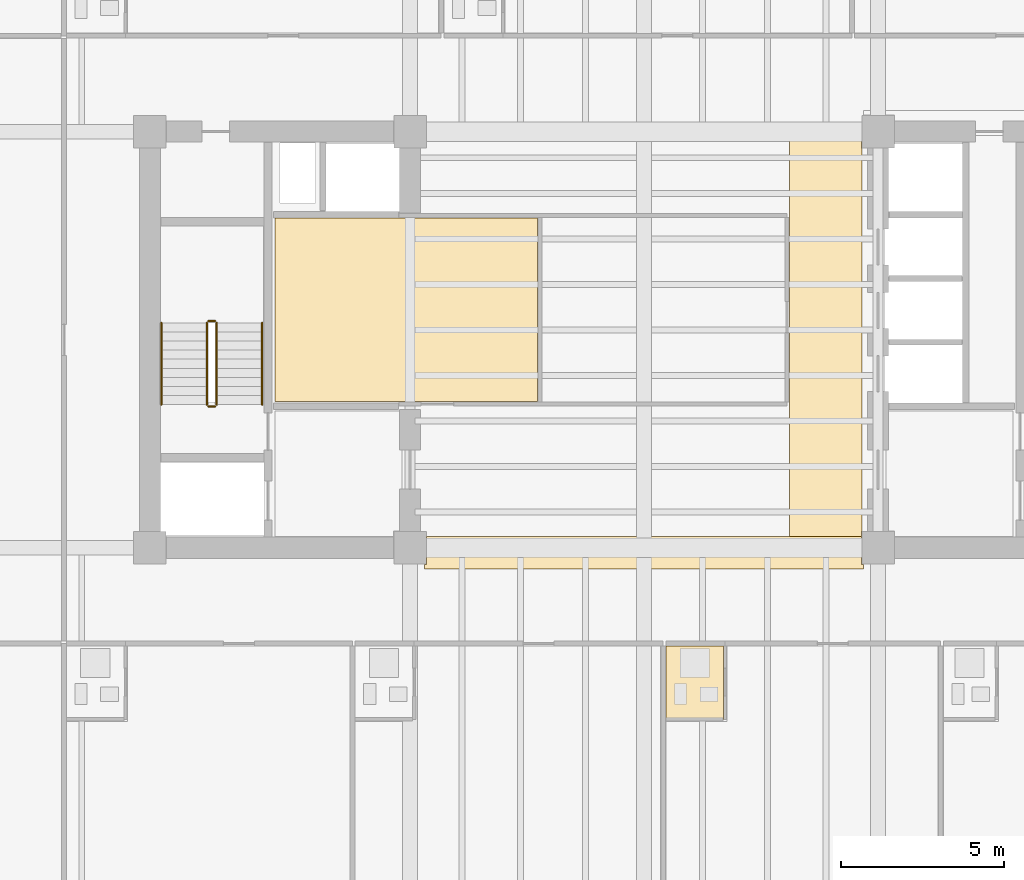
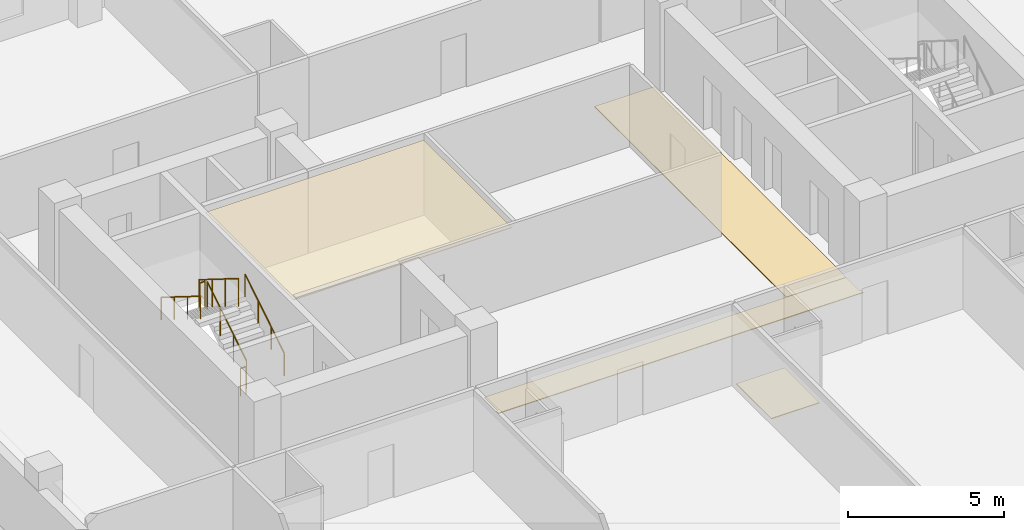
# One storey, part 7 of 10: 6 railings, 4 coverings.
"""IFC4 building model written with IfcOpenShell, lengths in metres."""

from ifc_helpers import new_model, si_unit, direction, frame, origin, origin_2d, place, context, subcontext, project, spatial, polyline, circle, outline, extrude, material, layer, layer_set, type_object, element, save


model = new_model("IFC4")

# Units and contexts
model_context = context("Model", 3, precision=1e-05, world=origin(), true_north=direction((0.0, 1.0)))
body_context = subcontext(model_context, "Body", "Model", "MODEL_VIEW")
ifc_project = project(units=[si_unit("LENGTHUNIT", "METRE"), si_unit("AREAUNIT", "SQUARE_METRE"), si_unit("VOLUMEUNIT", "CUBIC_METRE"), si_unit("PLANEANGLEUNIT", "RADIAN"), si_unit("MASSUNIT", "GRAM", prefix="KILO")], contexts=[model_context])

# Site, building, storey
site_placement = place(None, origin())
site = spatial("IfcSite", under=ifc_project, at=site_placement, CompositionType="ELEMENT")
building_placement = place(site_placement, origin())
building = spatial("IfcBuilding", under=site, at=building_placement, Name="Kranthara Brick Stack", CompositionType="ELEMENT")
storey_placement = place(building_placement, frame((0.0, 0.0, 127.300048828125)))
storey = spatial("IfcBuildingStorey", under=building, at=storey_placement, Name="L31", CompositionType="ELEMENT", Elevation=127.300048828125)

# Coverings
ifc_material_1 = material(Name="Perforated mineral-fibre acoustic ceiling tile", Category="other")
ifc_layer_1 = layer(ifc_material_1, 0.02490234375)
ifc_layer_set_1 = layer_set([ifc_layer_1], Name="Perforated mineral-fibre acoustic ceiling tile")
covering_type_1 = type_object("IfcCoveringType", Name="COV-CEIL-ACOUSTIC", PredefinedType="CEILING", material=ifc_layer_set_1)
covering_1_placement = place(storey_placement, frame((0.0, 0.0, 2.929931640625)))
element("IfcCovering", 1, at=covering_1_placement, inside=storey, type_object=covering_type_1, Name="L31 L31 Hotel Club Reading Lounge Acoustic Ceiling", PredefinedType="CEILING", context=body_context, shape_type="SweptSolid", body=[
    extrude(outline(polyline([(24.719970703125, 25.300048828125), (24.719970703125, 30.93994140625), (16.64990234375, 30.93994140625), (16.64990234375, 25.300048828125), (24.719970703125, 25.300048828125)])), origin(), (0.0, 0.0, 1.0), 0.02490234375),
])
ifc_material_2 = material(Name="Honed terrazzo and porcelain floor finish", Category="stone")
ifc_layer_2 = layer(ifc_material_2, 0.030029296875)
ifc_layer_set_2 = layer_set([ifc_layer_2], Name="Honed terrazzo and porcelain floor finish")
covering_type_2 = type_object("IfcCoveringType", Name="COV-FLOR-STONE", PredefinedType="FLOORING", material=ifc_layer_set_2)
covering_2_placement = place(storey_placement, origin())
element("IfcCovering", 2, at=covering_2_placement, inside=storey, type_object=covering_type_2, Name="L31 Lift Lobby Stone Flooring", PredefinedType="FLOORING", context=body_context, shape_type="SweptSolid", body=[
    extrude(outline(polyline([(32.47998046875, 33.449951171875), (34.68994140625, 33.449951171875), (34.68994140625, 33.090087890625), (34.699951171875, 33.090087890625), (34.699951171875, 21.31005859375), (34.68994140625, 21.31005859375), (34.68994140625, 21.14990234375), (32.47998046875, 21.14990234375), (32.47998046875, 33.449951171875)])), origin(), (0.0, 0.0, 1.0), 0.030029296875),
])
covering_3_placement = place(storey_placement, origin())
element("IfcCovering", 3, at=covering_3_placement, inside=storey, type_object=covering_type_2, Name="L31 Lift Lobby Stone Flooring", PredefinedType="FLOORING", context=body_context, shape_type="SweptSolid", body=[
    extrude(outline(polyline([(21.25, 20.2900390625), (21.31005859375, 20.2900390625), (21.31005859375, 21.14990234375), (32.47998046875, 21.14990234375), (34.68994140625, 21.14990234375), (34.68994140625, 20.2900390625), (34.75, 20.2900390625), (34.75, 20.14990234375), (21.25, 20.14990234375), (21.25, 20.2900390625)])), origin(), (0.0, 0.0, 1.0), 0.030029296875),
])
covering_4_placement = place(storey_placement, origin())
element("IfcCovering", 4, at=covering_4_placement, inside=storey, type_object=covering_type_2, Name="L31 Wet Room Porcelain Flooring", PredefinedType="FLOORING", context=body_context, shape_type="SweptSolid", body=[
    extrude(outline(polyline([(28.6708984375, 15.52001953125), (28.6708984375, 17.77001953125), (30.450927734375, 17.77001953125), (30.450927734375, 15.52001953125), (28.6708984375, 15.52001953125)])), origin(), (0.0, 0.0, 1.0), 0.030029296875),
])

# Railings
ifc_material_3 = material(Name="Painted galvanized steel stair guardrail", Category="steel")
railing_type_1 = type_object("IfcRailingType", Name="RL-STAIR-GUARD-1100", PredefinedType="GUARDRAIL", material=ifc_material_3)
railing_1_placement = place(storey_placement, frame((14.85009765625, 25.199951171875, 0.175048828125)))
element("IfcRailing", 5, at=railing_1_placement, inside=storey, type_object=railing_type_1, Name="L31 ST01 stair guard 1", PredefinedType="GUARDRAIL", context=body_context, shape_type="SweptSolid", body=[
    extrude(circle(Radius=0.02392578125, at=origin_2d()), frame((0.0, 0.0, 1.076171875), z_axis=(0.0, 0.848007534815, 0.529984170421), x_axis=(-1.0, 0.0, 0.0)), (0.0, 0.0, 1.0), 2.9716796875),
    extrude(circle(Radius=0.02099609375, at=origin_2d()), origin(), (0.0, 0.0, 1.0), 1.052001953125),
    extrude(circle(Radius=0.02099609375, at=origin_2d()), frame((0.0, 0.840087890625, 0.52490234375)), (0.0, 0.0, 1.0), 1.052001953125),
    extrude(circle(Radius=0.02099609375, at=origin_2d()), frame((0.0, 1.679931640625, 1.050048828125)), (0.0, 0.0, 1.0), 1.052001953125),
    extrude(circle(Radius=0.02099609375, at=origin_2d()), frame((0.0, 2.52001953125, 1.574951171875)), (0.0, 0.0, 1.0), 1.052001953125),
])
railing_2_placement = place(storey_placement, frame((14.800048828125, 27.77001953125, 1.75)))
element("IfcRailing", 6, at=railing_2_placement, inside=storey, type_object=railing_type_1, Name="L31 ST01 stair guard 2", PredefinedType="GUARDRAIL", context=body_context, shape_type="SweptSolid", body=[
    extrude(circle(Radius=0.02392578125, at=origin_2d()), frame((0.0, 0.0, 1.076171875), z_axis=(-1.0, 0.0, 0.0), x_axis=(0.0, -1.0, 0.0)), (0.0, 0.0, 1.0), 0.199951171875),
    extrude(circle(Radius=0.02099609375, at=origin_2d()), origin(), (0.0, 0.0, 1.0), 1.052001953125),
    extrude(circle(Radius=0.02099609375, at=origin_2d()), frame((-0.199951171875, 0.0, 0.0)), (0.0, 0.0, 1.0), 1.052001953125),
])
railing_3_placement = place(storey_placement, frame((14.550048828125, 27.719970703125, 1.925048828125)))
element("IfcRailing", 7, at=railing_3_placement, inside=storey, type_object=railing_type_1, Name="L31 ST01 stair guard 3", PredefinedType="GUARDRAIL", context=body_context, shape_type="SweptSolid", body=[
    extrude(circle(Radius=0.02392578125, at=origin_2d()), frame((0.0, 0.0, 1.076171875), z_axis=(0.0, -0.848007534815, 0.529984170421), x_axis=(1.0, 0.0, 0.0)), (0.0, 0.0, 1.0), 2.9716796875),
    extrude(circle(Radius=0.02099609375, at=origin_2d()), origin(), (0.0, 0.0, 1.0), 1.052001953125),
    extrude(circle(Radius=0.02099609375, at=origin_2d()), frame((0.0, -0.840087890625, 0.52490234375)), (0.0, 0.0, 1.0), 1.052001953125),
    extrude(circle(Radius=0.02099609375, at=origin_2d()), frame((0.0, -1.679931640625, 1.050048828125)), (0.0, 0.0, 1.0), 1.052001953125),
    extrude(circle(Radius=0.02099609375, at=origin_2d()), frame((0.0, -2.52001953125, 1.574951171875)), (0.0, 0.0, 1.0), 1.052001953125),
])
railing_4_placement = place(storey_placement, frame((14.800048828125, 25.14990234375, 0.0)))
element("IfcRailing", 8, at=railing_4_placement, inside=storey, type_object=railing_type_1, Name="L31 ST01 stair guard 4", PredefinedType="GUARDRAIL", context=body_context, shape_type="SweptSolid", body=[
    extrude(circle(Radius=0.02392578125, at=origin_2d()), frame((0.0, 0.0, 1.076171875), z_axis=(-1.0, 0.0, 0.0), x_axis=(0.0, -1.0, 0.0)), (0.0, 0.0, 1.0), 0.199951171875),
    extrude(circle(Radius=0.02099609375, at=origin_2d()), origin(), (0.0, 0.0, 1.0), 1.052001953125),
    extrude(circle(Radius=0.02099609375, at=origin_2d()), frame((-0.199951171875, 0.0, 0.0)), (0.0, 0.0, 1.0), 1.052001953125),
])
ifc_material_4 = material(Name="Brushed stainless steel tubular handrail", Category="steel")
railing_type_2 = type_object("IfcRailingType", Name="RL-STAIR-HAND-900", PredefinedType="HANDRAIL", material=ifc_material_4)
railing_5_placement = place(storey_placement, frame((16.25, 25.199951171875, 0.175048828125)))
element("IfcRailing", 9, at=railing_5_placement, inside=storey, type_object=railing_type_2, Name="L31 ST01 stair handrail 1", PredefinedType="HANDRAIL", context=body_context, shape_type="SweptSolid", body=[
    extrude(circle(Radius=0.02392578125, at=origin_2d()), frame((0.0, 0.0, 0.8759765625), z_axis=(0.0, 0.848007534815, 0.529984170421), x_axis=(-1.0, 0.0, 0.0)), (0.0, 0.0, 1.0), 2.9716796875),
    extrude(circle(Radius=0.02099609375, at=origin_2d()), origin(), (0.0, 0.0, 1.0), 0.851806640625),
    extrude(circle(Radius=0.02099609375, at=origin_2d()), frame((0.0, 0.840087890625, 0.52490234375)), (0.0, 0.0, 1.0), 0.851806640625),
    extrude(circle(Radius=0.02099609375, at=origin_2d()), frame((0.0, 1.679931640625, 1.050048828125)), (0.0, 0.0, 1.0), 0.851806640625),
    extrude(circle(Radius=0.02099609375, at=origin_2d()), frame((0.0, 2.52001953125, 1.574951171875)), (0.0, 0.0, 1.0), 0.851806640625),
])
railing_6_placement = place(storey_placement, frame((13.14990234375, 27.719970703125, 1.925048828125)))
element("IfcRailing", 10, at=railing_6_placement, inside=storey, type_object=railing_type_2, Name="L31 ST01 stair handrail 2", PredefinedType="HANDRAIL", context=body_context, shape_type="SweptSolid", body=[
    extrude(circle(Radius=0.02392578125, at=origin_2d()), frame((0.0, 0.0, 0.8759765625), z_axis=(0.0, -0.848007534815, 0.529984170421), x_axis=(1.0, 0.0, 0.0)), (0.0, 0.0, 1.0), 2.9716796875),
    extrude(circle(Radius=0.02099609375, at=origin_2d()), origin(), (0.0, 0.0, 1.0), 0.851806640625),
    extrude(circle(Radius=0.02099609375, at=origin_2d()), frame((0.0, -0.840087890625, 0.52490234375)), (0.0, 0.0, 1.0), 0.851806640625),
    extrude(circle(Radius=0.02099609375, at=origin_2d()), frame((0.0, -1.679931640625, 1.050048828125)), (0.0, 0.0, 1.0), 0.851806640625),
    extrude(circle(Radius=0.02099609375, at=origin_2d()), frame((0.0, -2.52001953125, 1.574951171875)), (0.0, 0.0, 1.0), 0.851806640625),
])

save(model, "model.ifc")
